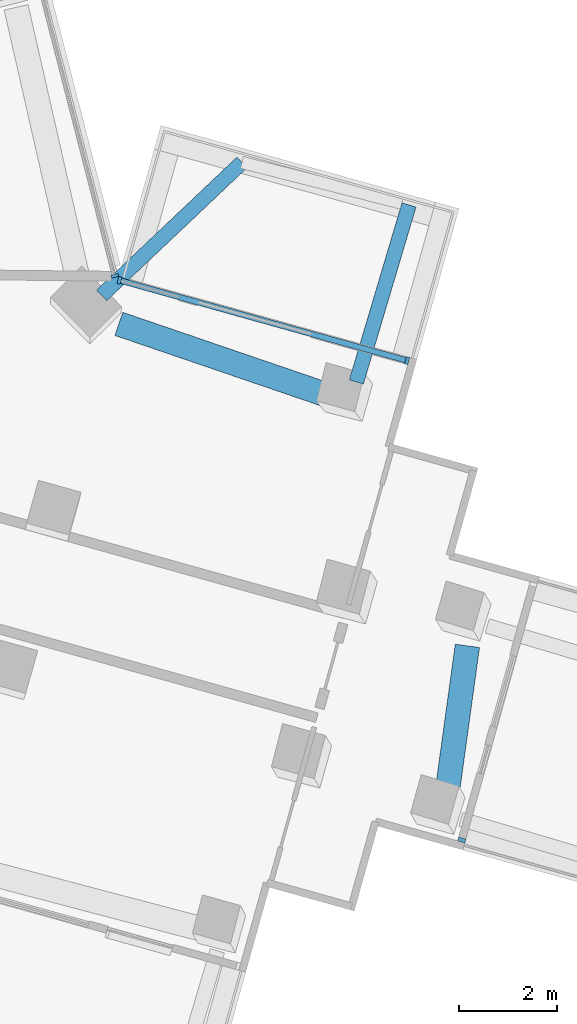
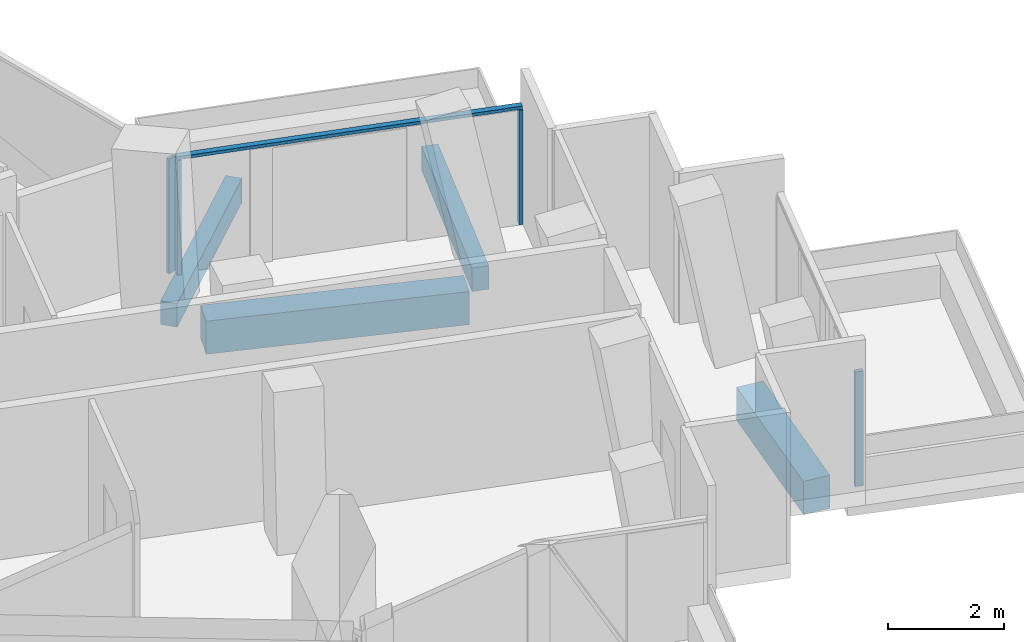
# One storey, part 6 of 26: 5 members, 4 beams, 3 elements without a shape of their own.
"""IFC4 building model written with IfcOpenShell, lengths in metres."""

from ifc_helpers import new_model, si_unit, direction, frame, origin, origin_2d, place, context, subcontext, project, spatial, rectangle, extrude, material, layer, layer_set, material_profile, profile_set, type_object, element, aggregate, save


model = new_model("IFC4")

# Units and contexts
model_context = context("Model", 3, precision=1e-05, world=origin(), true_north=direction((0.0, 1.0)))
body_context = subcontext(model_context, "Body", "Model", "MODEL_VIEW")
ifc_project = project(units=[si_unit("LENGTHUNIT", "METRE"), si_unit("AREAUNIT", "SQUARE_METRE"), si_unit("VOLUMEUNIT", "CUBIC_METRE"), si_unit("PLANEANGLEUNIT", "RADIAN"), si_unit("MASSUNIT", "GRAM", prefix="KILO")], contexts=[model_context])

# Site, building, storey
site_placement = place(None, origin())
site = spatial("IfcSite", under=ifc_project, at=site_placement, CompositionType="ELEMENT")
building_placement = place(site_placement, origin())
building = spatial("IfcBuilding", under=site, at=building_placement, Name="Verdalira Terraces Hotel", CompositionType="ELEMENT")
storey_placement = place(building_placement, frame((0.0, 0.0, 93.0)))
storey = spatial("IfcBuildingStorey", under=building, at=storey_placement, Name="L21", CompositionType="ELEMENT", Elevation=93.0)

# Beams
ifc_material_1 = material(Name="Concrete C40", Category="concrete")
ifc_material_profile_1 = material_profile(ifc_material_1, rectangle(XDim=0.300049, YDim=0.5, at=origin_2d()), Name="RC 300X500")
ifc_profile_set_1 = profile_set([ifc_material_profile_1], Name="Concrete C40")
beam_type_1 = type_object("IfcBeamType", Name="Balcony cantilever beam RC 300X500 C40", PredefinedType="BEAM", material=ifc_profile_set_1)
beam_1_placement = place(storey_placement, frame((29.966797, -2.422607, -0.560059), z_axis=(0.285056983, 0.958510572, 0.0), x_axis=(-0.958510572, 0.285056983, 0.0)))
element("IfcBeam", 1, at=beam_1_placement, inside=storey, type_object=beam_type_1, Name="Balcony cantilever beam R38-1", PredefinedType="BEAM", context=body_context, shape_type="SweptSolid", body=[
    extrude(rectangle(XDim=0.300049, YDim=0.5, at=origin_2d()), origin(), (0.0, 0.0, 1.0), 3.775391),
])
beam_2_placement = place(storey_placement, frame((24.76123, -0.652344, -0.560059), z_axis=(0.726097213, 0.687592058, 0.0), x_axis=(-0.687592058, 0.726097213, 0.0)))
element("IfcBeam", 2, at=beam_2_placement, inside=storey, type_object=beam_type_1, Name="Balcony cantilever beam R38-2", PredefinedType="BEAM", context=body_context, shape_type="SweptSolid", body=[
    extrude(rectangle(XDim=0.300049, YDim=0.5, at=origin_2d()), origin(), (0.0, 0.0, 1.0), 3.950195),
])

# Curtain wall, member
ifc_material_2 = material(Name="Clear glass", Category="glass")
ifc_layer_1 = layer(ifc_material_2, 0.14990234375)
ifc_layer_set_1 = layer_set([ifc_layer_1], Name="CW1 curtain wall")
curtain_wall_type_1 = type_object("IfcCurtainWallType", Name="CW1 curtain wall", PredefinedType="NOTDEFINED", material=ifc_layer_set_1)
curtain_wall_1_placement = place(storey_placement, origin())
curtain_wall_1 = element("IfcCurtainWall", 3, at=curtain_wall_1_placement, inside=storey, type_object=curtain_wall_type_1, Name="CW1 curtain wall L21 edge 39", PredefinedType="NOTDEFINED")
ifc_material_3 = material(Name="Terracotta frame", Category="masonry")
ifc_material_profile_2 = material_profile(ifc_material_3, rectangle(XDim=0.060059, YDim=0.149902, at=origin_2d()), Name="MU 60x150")
ifc_profile_set_2 = profile_set([ifc_material_profile_2], Name="Terracotta frame")
member_type_1 = type_object("IfcMemberType", Name="CW1 mullion 60x150", PredefinedType="MULLION", material=ifc_profile_set_2)
member_1_placement = place(storey_placement, frame((25.032471, -0.252686, 0.0), z_axis=(0.0, 0.0, 1.0), x_axis=(-0.248689887, 0.968583161, 0.0)))
member_1 = element("IfcMember", 4, at=member_1_placement, type_object=member_type_1, Name="CW1 mullion", PredefinedType="MULLION", context=body_context, shape_type="SweptSolid", body=[
    extrude(rectangle(XDim=0.060059, YDim=0.149902, at=origin_2d()), origin(), (0.0, 0.0, 1.0), 2.425049),
])
aggregate(curtain_wall_1, [member_1])

# Curtain wall, members
ifc_material_4 = material(Name="Clear glass", Category="glass")
ifc_layer_2 = layer(ifc_material_4, 0.14990234375)
ifc_layer_set_2 = layer_set([ifc_layer_2], Name="CW2 curtain wall")
curtain_wall_type_2 = type_object("IfcCurtainWallType", Name="CW2 curtain wall", PredefinedType="NOTDEFINED", material=ifc_layer_set_2)
curtain_wall_2_placement = place(storey_placement, origin())
curtain_wall_2 = element("IfcCurtainWall", 5, at=curtain_wall_2_placement, inside=storey, type_object=curtain_wall_type_2, Name="CW2 curtain wall L21 edge 38", PredefinedType="NOTDEFINED")
ifc_material_5 = material(Name="Terracotta frame", Category="masonry")
ifc_material_profile_3 = material_profile(ifc_material_5, rectangle(XDim=0.070068, YDim=0.149902, at=origin_2d()), Name="MU 70x150")
ifc_profile_set_3 = profile_set([ifc_material_profile_3], Name="Terracotta frame")
member_type_2 = type_object("IfcMemberType", Name="CW2 mullion 70x150", PredefinedType="MULLION", material=ifc_profile_set_3)
member_2_placement = place(storey_placement, frame((31.005371, -1.986084, 0.0), z_axis=(0.0, 0.0, 1.0), x_axis=(-0.963162567, 0.268919821, 0.0)))
member_2 = element("IfcMember", 6, at=member_2_placement, type_object=member_type_2, Name="CW2 mullion", PredefinedType="MULLION", context=body_context, shape_type="SweptSolid", body=[
    extrude(rectangle(XDim=0.070068, YDim=0.149902, at=origin_2d()), origin(), (0.0, 0.0, 1.0), 2.425049),
])
member_3_placement = place(storey_placement, frame((25.126221, -0.344727, 0.0), z_axis=(0.0, 0.0, 1.0), x_axis=(-0.963162567, 0.268919821, 0.0)))
member_3 = element("IfcMember", 7, at=member_3_placement, type_object=member_type_2, Name="CW2 mullion", PredefinedType="MULLION", context=body_context, shape_type="SweptSolid", body=[
    extrude(rectangle(XDim=0.070068, YDim=0.149902, at=origin_2d()), origin(), (0.0, 0.0, 1.0), 2.425049),
])
ifc_material_6 = material(Name="Terracotta frame", Category="masonry")
ifc_material_profile_4 = material_profile(ifc_material_6, rectangle(XDim=0.11499, YDim=0.064941, at=origin_2d()), Name="TR 65x115")
ifc_profile_set_4 = profile_set([ifc_material_profile_4], Name="Terracotta frame")
member_type_3 = type_object("IfcMemberType", Name="CW2 transom 65x115", PredefinedType="USERDEFINED", material=ifc_profile_set_4)
member_4_placement = place(storey_placement, frame((31.039062, -1.995605, 2.45752), z_axis=(-0.963158435, 0.268934619, 0.0), x_axis=(-0.268934619, -0.963158435, 0.0)))
member_4 = element("IfcMember", 8, at=member_4_placement, type_object=member_type_3, Name="CW2 transom", ObjectType="TRANSOM", PredefinedType="USERDEFINED", context=body_context, shape_type="SweptSolid", body=[
    extrude(rectangle(XDim=0.11499, YDim=0.064941, at=origin_2d()), origin(), (0.0, 0.0, 1.0), 6.174072),
])
aggregate(curtain_wall_2, [member_2, member_3, member_4])

# Curtain wall, member
ifc_material_7 = material(Name="Clear glass", Category="glass")
ifc_layer_3 = layer(ifc_material_7, 0.14990234375)
ifc_layer_set_3 = layer_set([ifc_layer_3], Name="CW3 curtain wall")
curtain_wall_type_3 = type_object("IfcCurtainWallType", Name="CW3 curtain wall", PredefinedType="NOTDEFINED", material=ifc_layer_set_3)
curtain_wall_3_placement = place(storey_placement, origin())
curtain_wall_3 = element("IfcCurtainWall", 9, at=curtain_wall_3_placement, inside=storey, type_object=curtain_wall_type_3, Name="CW3 curtain wall L21 edge 33", PredefinedType="NOTDEFINED")
ifc_material_8 = material(Name="Terracotta frame", Category="masonry")
ifc_material_profile_5 = material_profile(ifc_material_8, rectangle(XDim=0.080078, YDim=0.149902, at=origin_2d()), Name="MU 80x150")
ifc_profile_set_5 = profile_set([ifc_material_profile_5], Name="Terracotta frame")
member_type_4 = type_object("IfcMemberType", Name="CW3 mullion 80x150", PredefinedType="MULLION", material=ifc_profile_set_5)
member_5_placement = place(storey_placement, frame((32.12207, -11.782227, 0.0), z_axis=(0.0, 0.0, 1.0), x_axis=(0.268919821, 0.963162567, 0.0)))
member_5 = element("IfcMember", 10, at=member_5_placement, type_object=member_type_4, Name="CW3 mullion", PredefinedType="MULLION", context=body_context, shape_type="SweptSolid", body=[
    extrude(rectangle(XDim=0.080078, YDim=0.149902, at=origin_2d()), origin(), (0.0, 0.0, 1.0), 2.425049),
])
aggregate(curtain_wall_3, [member_5])

# Beams
ifc_material_9 = material(Name="Concrete C70", Category="concrete")
ifc_material_profile_6 = material_profile(ifc_material_9, rectangle(XDim=0.5, YDim=0.699951, at=origin_2d()), Name="RC 500X700")
ifc_profile_set_6 = profile_set([ifc_material_profile_6], Name="Concrete C70")
beam_type_2 = type_object("IfcBeamType", Name="Spandrel beam RC 500X700 C70", PredefinedType="SPANDREL", material=ifc_profile_set_6)
beam_3_placement = place(storey_placement, frame((31.815918, -10.861816, -0.659912), z_axis=(0.13659711, 0.990626685, 0.0), x_axis=(-0.990626685, 0.13659711, 0.0)))
element("IfcBeam", 11, at=beam_3_placement, inside=storey, type_object=beam_type_2, Name="Spandrel beam B22", PredefinedType="SPANDREL", context=body_context, shape_type="SweptSolid", body=[
    extrude(rectangle(XDim=0.5, YDim=0.699951, at=origin_2d()), origin(), (0.0, 0.0, 1.0), 3.075928),
])
beam_4_placement = place(storey_placement, frame((29.506348, -2.736816, -0.659912), z_axis=(-0.946263942, 0.32339535, 0.0), x_axis=(-0.32339535, -0.946263942, 0.0)))
element("IfcBeam", 12, at=beam_4_placement, inside=storey, type_object=beam_type_2, Name="Spandrel beam B23", PredefinedType="SPANDREL", context=body_context, shape_type="SweptSolid", body=[
    extrude(rectangle(XDim=0.5, YDim=0.699951, at=origin_2d()), origin(), (0.0, 0.0, 1.0), 4.643555),
])

save(model, "model.ifc")
